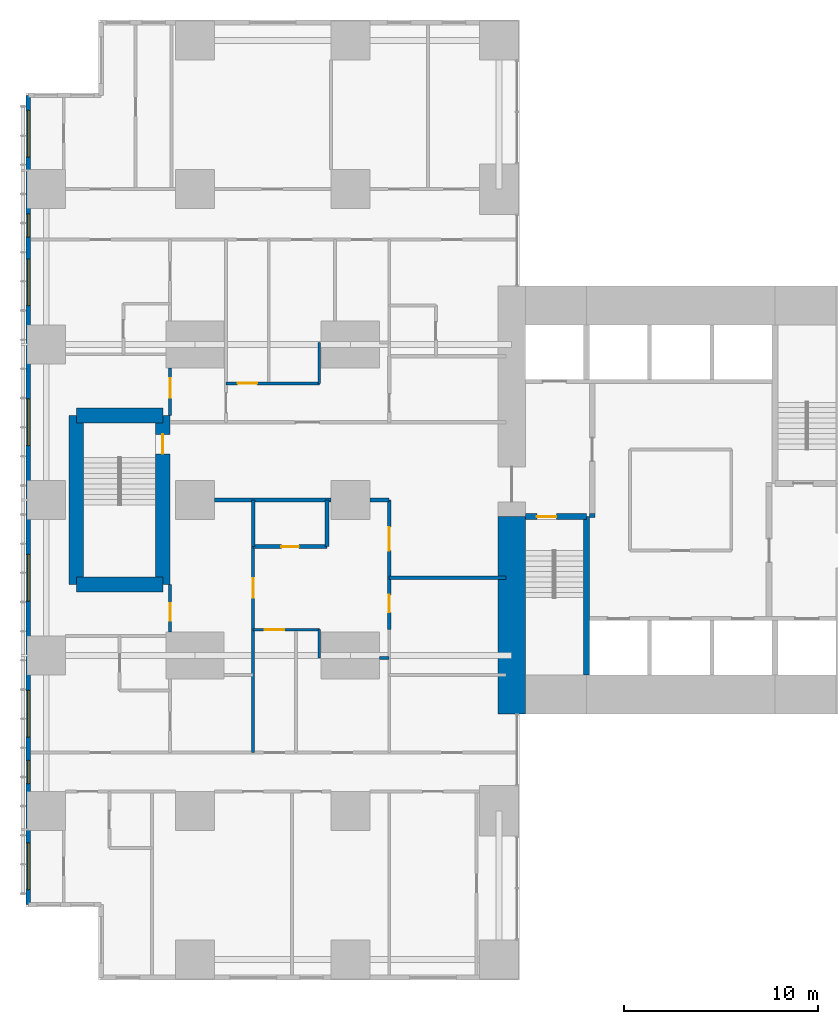
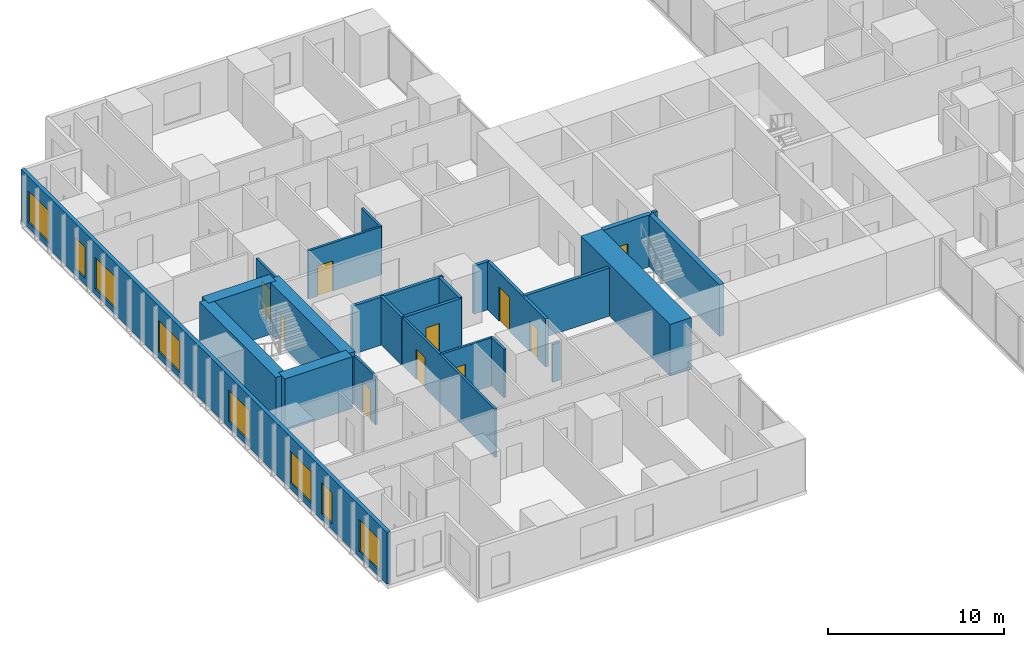
# One storey, part 13 of 20: 24 walls, 10 doors, 8 windows, 18 openings.
"""IFC4 building model written with IfcOpenShell, lengths in metres."""

from ifc_helpers import new_model, si_unit, direction, frame, frame_2d, origin, place, context, subcontext, project, spatial, rectangle, extrude, material, layer, layer_set, type_object, element, fill, save


model = new_model("IFC4")

# Units and contexts
model_context = context("Model", 3, precision=1e-05, world=origin(), true_north=direction((0.0, 1.0)))
body_context = subcontext(model_context, "Body", "Model", "MODEL_VIEW")
ifc_project = project(units=[si_unit("LENGTHUNIT", "METRE"), si_unit("AREAUNIT", "SQUARE_METRE"), si_unit("VOLUMEUNIT", "CUBIC_METRE"), si_unit("PLANEANGLEUNIT", "RADIAN"), si_unit("MASSUNIT", "GRAM", prefix="KILO")], contexts=[model_context])

# Site, building, storey
site_placement = place(None, origin())
site = spatial("IfcSite", under=ifc_project, at=site_placement, CompositionType="ELEMENT")
building_placement = place(site_placement, origin())
building = spatial("IfcBuilding", under=site, at=building_placement, Name="Cleftline Residences", CompositionType="ELEMENT")
storey_placement = place(building_placement, frame((0.0, 0.0, 150.199951171875)))
storey = spatial("IfcBuildingStorey", under=building, at=storey_placement, Name="L39", CompositionType="ELEMENT", Elevation=150.199951171875)

# Walls
ifc_material_1 = material(Name="Concrete B70", Category="concrete")
ifc_layer_1 = layer(ifc_material_1, 1.39990234375)
ifc_layer_set_1 = layer_set([ifc_layer_1], Name="CORE WALL 1400")
wall_type_1 = type_object("IfcWallType", Name="CORE WALL 1400", PredefinedType="SHEAR", material=ifc_layer_set_1)
wall_1_placement = place(storey_placement, frame((24.300048828125, 13.0, 0.0), z_axis=(0.0, 0.0, 1.0), x_axis=(0.0, 1.0, 0.0)))
element("IfcWall", 1, at=wall_1_placement, inside=storey, type_object=wall_type_1, Name="Core wall W0", PredefinedType="SHEAR", context=body_context, shape_type="SweptSolid", body=[
    extrude(rectangle(XDim=10.14990234375, YDim=1.39990234375, at=frame_2d((5.074951171875, 0.0))), origin(), (0.0, 0.0, 1.0), 3.60009765625),
])
ifc_material_2 = material(Name="Concrete B70", Category="concrete")
ifc_layer_2 = layer(ifc_material_2, 0.300048828125)
ifc_layer_set_2 = layer_set([ifc_layer_2], Name="CORE WALL 300")
wall_type_2 = type_object("IfcWallType", Name="CORE WALL 300", PredefinedType="SHEAR", material=ifc_layer_set_2)
wall_2_placement = place(storey_placement, frame((28.14990234375, 15.0, 0.0), z_axis=(0.0, 0.0, 1.0), x_axis=(0.0, 1.0, 0.0)))
element("IfcWall", 2, at=wall_2_placement, inside=storey, type_object=wall_type_2, Name="Core wall SA-E", PredefinedType="SHEAR", context=body_context, shape_type="SweptSolid", body=[
    extrude(rectangle(XDim=8.14990234375, YDim=0.300048828125, at=frame_2d((4.074951171875, 0.0))), origin(), (0.0, 0.0, 1.0), 3.60009765625),
])

# Wall, opening, door
wall_3_placement = place(storey_placement, frame((25.0, 23.14990234375, 0.0), z_axis=(0.0, 0.0, 1.0), x_axis=(1.0, 0.0, 0.0)))
wall_3 = element("IfcWall", 3, at=wall_3_placement, inside=storey, type_object=wall_type_2, Name="Core wall SA-N", PredefinedType="SHEAR", context=body_context, shape_type="SweptSolid", body=[
    extrude(rectangle(XDim=3.14990234375, YDim=0.300048828125, at=frame_2d((1.574951171875, 0.0))), origin(), (0.0, 0.0, 1.0), 3.60009765625),
])
opening_1_placement = place(wall_3_placement, frame((0.60009765625, 0.0, 0.0)))
opening_1 = element("IfcOpeningElement", 4, at=opening_1_placement, cuts=wall_3, Name="Opening D5", PredefinedType="OPENING", context=body_context, shape_type="SweptSolid", body=[
    extrude(rectangle(XDim=1.0, YDim=2.10009765625, at=frame_2d((0.5, 1.050048828125))), frame((0.0, 0.159912109375, 0.0), z_axis=(0.0, -1.0, 0.0), x_axis=(1.0, 0.0, 0.0)), (0.0, 0.0, 1.0), 0.320068359375),
])
ifc_material_3 = material(Name="Steel", Category="steel")
door_type_1 = type_object("IfcDoorType", Name="STAIR DOOR 1000X2100", OperationType="SINGLE_SWING_LEFT", PredefinedType="DOOR", material=ifc_material_3)
door_1_placement = place(opening_1_placement, origin())
door_1 = element("IfcDoor", 5, at=door_1_placement, inside=storey, type_object=door_type_1, Name="Stair A door", OperationType="SINGLE_SWING_RIGHT", OverallHeight=2.10009765625, OverallWidth=1.0, PredefinedType="DOOR", context=body_context, shape_type="SweptSolid", body=[
    extrude(rectangle(XDim=1.0, YDim=2.10009765625, at=frame_2d((0.5, 1.050048828125))), frame((0.0, 0.02490234375, 0.0), z_axis=(0.0, -1.0, 0.0), x_axis=(1.0, 0.0, 0.0)), (0.0, 0.0, 1.0), 0.050048828125),
])
fill(opening_1, door_1)

# Wall, openings, windows
ifc_material_4 = material(Name="Rendered reinforced concrete blockwork", Category="masonry")
ifc_layer_3 = layer(ifc_material_4, 0.25)
ifc_layer_set_3 = layer_set([ifc_layer_3], Name="EXTERNAL WALL 250")
wall_type_3 = type_object("IfcWallType", Name="EXTERNAL WALL 250", PredefinedType="SOLIDWALL", material=ifc_layer_set_3)
wall_4_placement = place(storey_placement, frame((-0.574951171875, 44.824951171875, 0.0), z_axis=(0.0, 0.0, 1.0), x_axis=(0.0, -1.0, 0.0)))
wall_4 = element("IfcWall", 6, at=wall_4_placement, inside=storey, type_object=wall_type_3, Name="External wall", PredefinedType="SOLIDWALL", context=body_context, shape_type="SweptSolid", body=[
    extrude(rectangle(XDim=41.64990234375, YDim=0.25, at=frame_2d((20.824951171875, 0.0))), origin(), (0.0, 0.0, 1.0), 3.60009765625),
])
opening_2_placement = place(wall_4_placement, frame((0.77490234375, 0.0, 0.39990234375)))
opening_2 = element("IfcOpeningElement", 7, at=opening_2_placement, cuts=wall_4, Name="Opening W12", PredefinedType="OPENING", context=body_context, shape_type="SweptSolid", body=[
    extrude(rectangle(XDim=2.39990234375, YDim=2.199951171875, at=frame_2d((1.199951171875, 1.10009765625))), frame((0.0, 0.135009765625, 0.0), z_axis=(0.0, -1.0, 0.0), x_axis=(1.0, 0.0, 0.0)), (0.0, 0.0, 1.0), 0.27001953125),
])
opening_3_placement = place(wall_4_placement, frame((6.10009765625, 0.0, 0.39990234375)))
opening_3 = element("IfcOpeningElement", 8, at=opening_3_placement, cuts=wall_4, Name="Opening W11", PredefinedType="OPENING", context=body_context, shape_type="SweptSolid", body=[
    extrude(rectangle(XDim=1.199951171875, YDim=2.199951171875, at=frame_2d((0.60009765625, 1.10009765625))), frame((0.0, 0.135009765625, 0.0), z_axis=(0.0, -1.0, 0.0), x_axis=(1.0, 0.0, 0.0)), (0.0, 0.0, 1.0), 0.27001953125),
])
opening_4_placement = place(wall_4_placement, frame((8.425048828125, 0.0, 0.39990234375)))
opening_4 = element("IfcOpeningElement", 9, at=opening_4_placement, cuts=wall_4, Name="Opening W12", PredefinedType="OPENING", context=body_context, shape_type="SweptSolid", body=[
    extrude(rectangle(XDim=2.39990234375, YDim=2.199951171875, at=frame_2d((1.199951171875, 1.10009765625))), frame((0.0, 0.135009765625, 0.0), z_axis=(0.0, -1.0, 0.0), x_axis=(1.0, 0.0, 0.0)), (0.0, 0.0, 1.0), 0.27001953125),
])
opening_5_placement = place(wall_4_placement, frame((15.625, 0.0, 0.39990234375)))
opening_5 = element("IfcOpeningElement", 10, at=opening_5_placement, cuts=wall_4, Name="Opening W12", PredefinedType="OPENING", context=body_context, shape_type="SweptSolid", body=[
    extrude(rectangle(XDim=2.39990234375, YDim=2.199951171875, at=frame_2d((1.199951171875, 1.10009765625))), frame((0.0, 0.135009765625, 0.0), z_axis=(0.0, -1.0, 0.0), x_axis=(1.0, 0.0, 0.0)), (0.0, 0.0, 1.0), 0.27001953125),
])
opening_6_placement = place(wall_4_placement, frame((23.625, 0.0, 0.39990234375)))
opening_6 = element("IfcOpeningElement", 11, at=opening_6_placement, cuts=wall_4, Name="Opening W12", PredefinedType="OPENING", context=body_context, shape_type="SweptSolid", body=[
    extrude(rectangle(XDim=2.39990234375, YDim=2.199951171875, at=frame_2d((1.199951171875, 1.10009765625))), frame((0.0, 0.135009765625, 0.0), z_axis=(0.0, -1.0, 0.0), x_axis=(1.0, 0.0, 0.0)), (0.0, 0.0, 1.0), 0.27001953125),
])
opening_7_placement = place(wall_4_placement, frame((30.625, 0.0, 0.39990234375)))
opening_7 = element("IfcOpeningElement", 12, at=opening_7_placement, cuts=wall_4, Name="Opening W12", PredefinedType="OPENING", context=body_context, shape_type="SweptSolid", body=[
    extrude(rectangle(XDim=2.39990234375, YDim=2.199951171875, at=frame_2d((1.199951171875, 1.10009765625))), frame((0.0, 0.135009765625, 0.0), z_axis=(0.0, -1.0, 0.0), x_axis=(1.0, 0.0, 0.0)), (0.0, 0.0, 1.0), 0.27001953125),
])
opening_8_placement = place(wall_4_placement, frame((34.22509765625, 0.0, 0.39990234375)))
opening_8 = element("IfcOpeningElement", 13, at=opening_8_placement, cuts=wall_4, Name="Opening W11", PredefinedType="OPENING", context=body_context, shape_type="SweptSolid", body=[
    extrude(rectangle(XDim=1.199951171875, YDim=2.199951171875, at=frame_2d((0.60009765625, 1.10009765625))), frame((0.0, 0.135009765625, 0.0), z_axis=(0.0, -1.0, 0.0), x_axis=(1.0, 0.0, 0.0)), (0.0, 0.0, 1.0), 0.27001953125),
])
opening_9_placement = place(wall_4_placement, frame((38.47509765625, 0.0, 0.39990234375)))
opening_9 = element("IfcOpeningElement", 14, at=opening_9_placement, cuts=wall_4, Name="Opening W12", PredefinedType="OPENING", context=body_context, shape_type="SweptSolid", body=[
    extrude(rectangle(XDim=2.39990234375, YDim=2.199951171875, at=frame_2d((1.199951171875, 1.10009765625))), frame((0.0, 0.135009765625, 0.0), z_axis=(0.0, -1.0, 0.0), x_axis=(1.0, 0.0, 0.0)), (0.0, 0.0, 1.0), 0.27001953125),
])
ifc_material_5 = material(Name="Aluminium frame, clear double glazing", Category="aluminium")
window_type_1 = type_object("IfcWindowType", Name="WINDOW 1200X2200", PartitioningType="DOUBLE_PANEL_VERTICAL", PredefinedType="WINDOW", material=ifc_material_5)
window_1_placement = place(opening_3_placement, origin())
window_1 = element("IfcWindow", 15, at=window_1_placement, inside=storey, type_object=window_type_1, Name="Window", OverallHeight=2.199951171875, OverallWidth=1.199951171875, PartitioningType="SINGLE_PANEL", PredefinedType="WINDOW", context=body_context, shape_type="SweptSolid", body=[
    extrude(rectangle(XDim=1.199951171875, YDim=2.199951171875, at=frame_2d((0.60009765625, 1.10009765625))), frame((0.0, 0.030029296875, 0.0), z_axis=(0.0, -1.0, 0.0), x_axis=(1.0, 0.0, 0.0)), (0.0, 0.0, 1.0), 0.06005859375),
])
fill(opening_3, window_1)
window_2_placement = place(opening_8_placement, origin())
window_2 = element("IfcWindow", 16, at=window_2_placement, inside=storey, type_object=window_type_1, Name="Window", OverallHeight=2.199951171875, OverallWidth=1.199951171875, PartitioningType="SINGLE_PANEL", PredefinedType="WINDOW", context=body_context, shape_type="SweptSolid", body=[
    extrude(rectangle(XDim=1.199951171875, YDim=2.199951171875, at=frame_2d((0.60009765625, 1.10009765625))), frame((0.0, 0.030029296875, 0.0), z_axis=(0.0, -1.0, 0.0), x_axis=(1.0, 0.0, 0.0)), (0.0, 0.0, 1.0), 0.06005859375),
])
fill(opening_8, window_2)
ifc_material_6 = material(Name="Aluminium frame, clear double glazing", Category="aluminium")
window_type_2 = type_object("IfcWindowType", Name="WINDOW 2400X2200", PartitioningType="DOUBLE_PANEL_VERTICAL", PredefinedType="WINDOW", material=ifc_material_6)
window_3_placement = place(opening_2_placement, origin())
window_3 = element("IfcWindow", 17, at=window_3_placement, inside=storey, type_object=window_type_2, Name="Window", OverallHeight=2.199951171875, OverallWidth=2.39990234375, PartitioningType="SINGLE_PANEL", PredefinedType="WINDOW", context=body_context, shape_type="SweptSolid", body=[
    extrude(rectangle(XDim=2.39990234375, YDim=2.199951171875, at=frame_2d((1.199951171875, 1.10009765625))), frame((0.0, 0.030029296875, 0.0), z_axis=(0.0, -1.0, 0.0), x_axis=(1.0, 0.0, 0.0)), (0.0, 0.0, 1.0), 0.06005859375),
])
fill(opening_2, window_3)
window_4_placement = place(opening_4_placement, origin())
window_4 = element("IfcWindow", 18, at=window_4_placement, inside=storey, type_object=window_type_2, Name="Window", OverallHeight=2.199951171875, OverallWidth=2.39990234375, PartitioningType="SINGLE_PANEL", PredefinedType="WINDOW", context=body_context, shape_type="SweptSolid", body=[
    extrude(rectangle(XDim=2.39990234375, YDim=2.199951171875, at=frame_2d((1.199951171875, 1.10009765625))), frame((0.0, 0.030029296875, 0.0), z_axis=(0.0, -1.0, 0.0), x_axis=(1.0, 0.0, 0.0)), (0.0, 0.0, 1.0), 0.06005859375),
])
fill(opening_4, window_4)
window_5_placement = place(opening_5_placement, origin())
window_5 = element("IfcWindow", 19, at=window_5_placement, inside=storey, type_object=window_type_2, Name="Window", OverallHeight=2.199951171875, OverallWidth=2.39990234375, PartitioningType="SINGLE_PANEL", PredefinedType="WINDOW", context=body_context, shape_type="SweptSolid", body=[
    extrude(rectangle(XDim=2.39990234375, YDim=2.199951171875, at=frame_2d((1.199951171875, 1.10009765625))), frame((0.0, 0.030029296875, 0.0), z_axis=(0.0, -1.0, 0.0), x_axis=(1.0, 0.0, 0.0)), (0.0, 0.0, 1.0), 0.06005859375),
])
fill(opening_5, window_5)
window_6_placement = place(opening_6_placement, origin())
window_6 = element("IfcWindow", 20, at=window_6_placement, inside=storey, type_object=window_type_2, Name="Window", OverallHeight=2.199951171875, OverallWidth=2.39990234375, PartitioningType="SINGLE_PANEL", PredefinedType="WINDOW", context=body_context, shape_type="SweptSolid", body=[
    extrude(rectangle(XDim=2.39990234375, YDim=2.199951171875, at=frame_2d((1.199951171875, 1.10009765625))), frame((0.0, 0.030029296875, 0.0), z_axis=(0.0, -1.0, 0.0), x_axis=(1.0, 0.0, 0.0)), (0.0, 0.0, 1.0), 0.06005859375),
])
fill(opening_6, window_6)
window_7_placement = place(opening_7_placement, origin())
window_7 = element("IfcWindow", 21, at=window_7_placement, inside=storey, type_object=window_type_2, Name="Window", OverallHeight=2.199951171875, OverallWidth=2.39990234375, PartitioningType="SINGLE_PANEL", PredefinedType="WINDOW", context=body_context, shape_type="SweptSolid", body=[
    extrude(rectangle(XDim=2.39990234375, YDim=2.199951171875, at=frame_2d((1.199951171875, 1.10009765625))), frame((0.0, 0.030029296875, 0.0), z_axis=(0.0, -1.0, 0.0), x_axis=(1.0, 0.0, 0.0)), (0.0, 0.0, 1.0), 0.06005859375),
])
fill(opening_7, window_7)
window_8_placement = place(opening_9_placement, origin())
window_8 = element("IfcWindow", 22, at=window_8_placement, inside=storey, type_object=window_type_2, Name="Window", OverallHeight=2.199951171875, OverallWidth=2.39990234375, PartitioningType="SINGLE_PANEL", PredefinedType="WINDOW", context=body_context, shape_type="SweptSolid", body=[
    extrude(rectangle(XDim=2.39990234375, YDim=2.199951171875, at=frame_2d((1.199951171875, 1.10009765625))), frame((0.0, 0.030029296875, 0.0), z_axis=(0.0, -1.0, 0.0), x_axis=(1.0, 0.0, 0.0)), (0.0, 0.0, 1.0), 0.06005859375),
])
fill(opening_9, window_8)

# Wall
ifc_material_7 = material(Name="Concrete blockwork, fire rated", Category="masonry")
ifc_layer_4 = layer(ifc_material_7, 0.199951171875)
ifc_layer_set_4 = layer_set([ifc_layer_4], Name="FIRE WALL 200")
wall_type_4 = type_object("IfcWallType", Name="FIRE WALL 200", PredefinedType="PARTITIONING", material=ifc_layer_set_4)
wall_5_placement = place(storey_placement, frame((18.0, 20.0, 0.0), z_axis=(0.0, 0.0, 1.0), x_axis=(1.0, 0.0, 0.0)))
element("IfcWall", 23, at=wall_5_placement, inside=storey, type_object=wall_type_4, Name="Fire separating wall", PredefinedType="PARTITIONING", context=body_context, shape_type="SweptSolid", body=[
    extrude(rectangle(XDim=6.0, YDim=0.199951171875, at=frame_2d((3.0, 0.0))), origin(), (0.0, 0.0, 1.0), 3.35009765625),
])

# Wall, opening, door
wall_6_placement = place(storey_placement, frame((11.0, 21.60009765625, 0.0), z_axis=(0.0, 0.0, 1.0), x_axis=(1.0, 0.0, 0.0)))
wall_6 = element("IfcWall", 24, at=wall_6_placement, inside=storey, type_object=wall_type_4, Name="Fire separating wall", PredefinedType="PARTITIONING", context=body_context, shape_type="SweptSolid", body=[
    extrude(rectangle(XDim=3.800048828125, YDim=0.199951171875, at=frame_2d((1.89990234375, 0.0))), origin(), (0.0, 0.0, 1.0), 3.35009765625),
])
opening_10_placement = place(wall_6_placement, frame((1.449951171875, 0.0, 0.0)))
opening_10 = element("IfcOpeningElement", 25, at=opening_10_placement, cuts=wall_6, Name="Opening D1F30", PredefinedType="OPENING", context=body_context, shape_type="SweptSolid", body=[
    extrude(rectangle(XDim=0.89990234375, YDim=2.10009765625, at=frame_2d((0.449951171875, 1.050048828125))), frame((0.0, 0.10986328125, 0.0), z_axis=(0.0, -1.0, 0.0), x_axis=(1.0, 0.0, 0.0)), (0.0, 0.0, 1.0), 0.219970703125),
])
ifc_material_8 = material(Name="Timber veneer on solid core", Category="wood")
door_type_2 = type_object("IfcDoorType", Name="DOOR 900X2100 EI 30", OperationType="SINGLE_SWING_LEFT", PredefinedType="DOOR", material=ifc_material_8)
door_2_placement = place(opening_10_placement, origin())
door_2 = element("IfcDoor", 26, at=door_2_placement, inside=storey, type_object=door_type_2, Name="Door to cloakroom wc", OperationType="SINGLE_SWING_LEFT", OverallHeight=2.10009765625, OverallWidth=0.89990234375, PredefinedType="DOOR", context=body_context, shape_type="SweptSolid", body=[
    extrude(rectangle(XDim=0.89990234375, YDim=2.10009765625, at=frame_2d((0.449951171875, 1.050048828125))), frame((0.0, 0.02490234375, 0.0), z_axis=(0.0, -1.0, 0.0), x_axis=(1.0, 0.0, 0.0)), (0.0, 0.0, 1.0), 0.050048828125),
])
fill(opening_10, door_2)

# Walls
wall_7_placement = place(storey_placement, frame((9.0, 24.0, 0.0), z_axis=(0.0, 0.0, 1.0), x_axis=(1.0, 0.0, 0.0)))
element("IfcWall", 27, at=wall_7_placement, inside=storey, type_object=wall_type_4, Name="Fire separating wall", PredefinedType="PARTITIONING", context=body_context, shape_type="SweptSolid", body=[
    extrude(rectangle(XDim=6.0, YDim=0.199951171875, at=frame_2d((3.0, 0.0))), origin(), (0.0, 0.0, 1.0), 3.35009765625),
])
wall_8_placement = place(storey_placement, frame((17.0, 24.0, 0.0), z_axis=(0.0, 0.0, 1.0), x_axis=(1.0, 0.0, 0.0)))
element("IfcWall", 28, at=wall_8_placement, inside=storey, type_object=wall_type_4, Name="Fire separating wall", PredefinedType="PARTITIONING", context=body_context, shape_type="SweptSolid", body=[
    extrude(rectangle(XDim=1.0, YDim=0.199951171875, at=frame_2d((0.5, 0.0))), origin(), (0.0, 0.0, 1.0), 3.35009765625),
])
for number, where, z_axis, x_axis, name in (
    (29, (11.0, 21.60009765625, 0.0), (0.0, 0.0, 1.0), (0.0, 1.0, 0.0), "Fire separating wall"),
    (30, (14.800048828125, 21.60009765625, 0.0), (0.0, 0.0, 1.0), (0.0, 1.0, 0.0), "Fire separating wall"),
):
    element("IfcWall", number, at=place(storey_placement, frame(where, z_axis=z_axis, x_axis=x_axis)), inside=storey, type_object=wall_type_4, Name=name, PredefinedType="PARTITIONING", context=body_context, shape_type="SweptSolid", body=[
        extrude(rectangle(XDim=2.39990234375, YDim=0.199951171875, at=frame_2d((1.199951171875, 0.0))), origin(), (0.0, 0.0, 1.0), 3.35009765625),
    ])

# Wall, openings, doors
wall_9_placement = place(storey_placement, frame((18.0, 17.324951171875, 0.0), z_axis=(0.0, 0.0, 1.0), x_axis=(0.0, 1.0, 0.0)))
wall_9 = element("IfcWall", 31, at=wall_9_placement, inside=storey, type_object=wall_type_4, Name="Fire separating wall", PredefinedType="PARTITIONING", context=body_context, shape_type="SweptSolid", body=[
    extrude(rectangle(XDim=6.675048828125, YDim=0.199951171875, at=frame_2d((3.33740234375, 0.0))), origin(), (0.0, 0.0, 1.0), 3.35009765625),
])
opening_11_placement = place(wall_9_placement, frame((4.074951171875, 0.0, 0.0)))
opening_11 = element("IfcOpeningElement", 32, at=opening_11_placement, cuts=wall_9, Name="Opening D4", PredefinedType="OPENING", context=body_context, shape_type="SweptSolid", body=[
    extrude(rectangle(XDim=1.199951171875, YDim=2.39990234375, at=frame_2d((0.60009765625, 1.199951171875))), frame((0.0, 0.10986328125, 0.0), z_axis=(0.0, -1.0, 0.0), x_axis=(1.0, 0.0, 0.0)), (0.0, 0.0, 1.0), 0.219970703125),
])
opening_12_placement = place(wall_9_placement, frame((0.887451171875, 0.0, 0.0)))
opening_12 = element("IfcOpeningElement", 33, at=opening_12_placement, cuts=wall_9, Name="Opening D1F30", PredefinedType="OPENING", context=body_context, shape_type="SweptSolid", body=[
    extrude(rectangle(XDim=0.89990234375, YDim=2.10009765625, at=frame_2d((0.449951171875, 1.050048828125))), frame((0.0, 0.10986328125, 0.0), z_axis=(0.0, -1.0, 0.0), x_axis=(1.0, 0.0, 0.0)), (0.0, 0.0, 1.0), 0.219970703125),
])
ifc_material_9 = material(Name="Timber veneer on solid core", Category="wood")
door_type_3 = type_object("IfcDoorType", Name="APARTMENT ENTRANCE DOOR 1200X2400", OperationType="SINGLE_SWING_RIGHT", PredefinedType="DOOR", material=ifc_material_9)
door_3_placement = place(opening_11_placement, origin())
door_3 = element("IfcDoor", 34, at=door_3_placement, inside=storey, type_object=door_type_3, Name="Door to residence entrance foyer", OperationType="SINGLE_SWING_LEFT", OverallHeight=2.39990234375, OverallWidth=1.199951171875, PredefinedType="DOOR", context=body_context, shape_type="SweptSolid", body=[
    extrude(rectangle(XDim=1.199951171875, YDim=2.39990234375, at=frame_2d((0.60009765625, 1.199951171875))), frame((0.0, 0.02490234375, 0.0), z_axis=(0.0, -1.0, 0.0), x_axis=(1.0, 0.0, 0.0)), (0.0, 0.0, 1.0), 0.050048828125),
])
fill(opening_11, door_3)
door_4_placement = place(opening_12_placement, origin())
door_4 = element("IfcDoor", 35, at=door_4_placement, inside=storey, type_object=door_type_2, Name="Door to utility room", OperationType="SINGLE_SWING_RIGHT", OverallHeight=2.10009765625, OverallWidth=0.89990234375, PredefinedType="DOOR", context=body_context, shape_type="SweptSolid", body=[
    extrude(rectangle(XDim=0.89990234375, YDim=2.10009765625, at=frame_2d((0.449951171875, 1.050048828125))), frame((0.0, 0.02490234375, 0.0), z_axis=(0.0, -1.0, 0.0), x_axis=(1.0, 0.0, 0.0)), (0.0, 0.0, 1.0), 0.050048828125),
])
fill(opening_12, door_4)

# Walls
wall_10_placement = place(storey_placement, frame((28.300048828125, 23.199951171875, 0.0), z_axis=(0.0, 0.0, 1.0), x_axis=(1.0, 0.0, 0.0)))
element("IfcWall", 36, at=wall_10_placement, inside=storey, type_object=wall_type_4, Name="Fire separating wall", PredefinedType="PARTITIONING", context=body_context, shape_type="SweptSolid", body=[
    extrude(rectangle(XDim=0.300048828125, YDim=0.199951171875, at=frame_2d((0.14990234375, 0.0))), origin(), (0.0, 0.0, 1.0), 3.60009765625),
])
ifc_material_10 = material(Name="Gypsum board on steel studs", Category="steel")
ifc_layer_5 = layer(ifc_material_10, 0.14990234375)
ifc_layer_set_5 = layer_set([ifc_layer_5], Name="PARTITION 150")
wall_type_5 = type_object("IfcWallType", Name="PARTITION 150", PredefinedType="PARTITIONING", material=ifc_layer_set_5)
wall_11_placement = place(storey_placement, frame((17.5, 15.875, 0.0), z_axis=(0.0, 0.0, 1.0), x_axis=(1.0, 0.0, 0.0)))
element("IfcWall", 37, at=wall_11_placement, inside=storey, type_object=wall_type_5, Name="Partition", PredefinedType="PARTITIONING", context=body_context, shape_type="SweptSolid", body=[
    extrude(rectangle(XDim=0.5, YDim=0.14990234375, at=frame_2d((0.25, 0.0))), origin(), (0.0, 0.0, 1.0), 2.634033203125),
])

# Wall, opening, door
wall_12_placement = place(storey_placement, frame((11.0, 17.324951171875, 0.0), z_axis=(0.0, 0.0, 1.0), x_axis=(1.0, 0.0, 0.0)))
wall_12 = element("IfcWall", 38, at=wall_12_placement, inside=storey, type_object=wall_type_5, Name="Partition", PredefinedType="PARTITIONING", context=body_context, shape_type="SweptSolid", body=[
    extrude(rectangle(XDim=3.39990234375, YDim=0.14990234375, at=frame_2d((1.699951171875, 0.0))), origin(), (0.0, 0.0, 1.0), 3.35009765625),
])
opening_13_placement = place(wall_12_placement, frame((0.60009765625, 0.0, 0.0)))
opening_13 = element("IfcOpeningElement", 39, at=opening_13_placement, cuts=wall_12, Name="Opening D2", PredefinedType="OPENING", context=body_context, shape_type="SweptSolid", body=[
    extrude(rectangle(XDim=1.0, YDim=2.10009765625, at=frame_2d((0.5, 1.050048828125))), frame((0.0, 0.0849609375, 0.0), z_axis=(0.0, -1.0, 0.0), x_axis=(1.0, 0.0, 0.0)), (0.0, 0.0, 1.0), 0.169921875),
])
ifc_material_11 = material(Name="Timber veneer on solid core", Category="wood")
door_type_4 = type_object("IfcDoorType", Name="DOOR 1000X2100", OperationType="SINGLE_SWING_LEFT", PredefinedType="DOOR", material=ifc_material_11)
door_5_placement = place(opening_13_placement, origin())
door_5 = element("IfcDoor", 40, at=door_5_placement, inside=storey, type_object=door_type_4, Name="Door to residence passage", OperationType="SINGLE_SWING_RIGHT", OverallHeight=2.10009765625, OverallWidth=1.0, PredefinedType="DOOR", context=body_context, shape_type="SweptSolid", body=[
    extrude(rectangle(XDim=1.0, YDim=2.10009765625, at=frame_2d((0.5, 1.050048828125))), frame((0.0, 0.02490234375, 0.0), z_axis=(0.0, -1.0, 0.0), x_axis=(1.0, 0.0, 0.0)), (0.0, 0.0, 1.0), 0.050048828125),
])
fill(opening_13, door_5)

wall_13_placement = place(storey_placement, frame((9.60009765625, 30.0, 0.0), z_axis=(0.0, 0.0, 1.0), x_axis=(1.0, 0.0, 0.0)))
wall_13 = element("IfcWall", 41, at=wall_13_placement, inside=storey, type_object=wall_type_5, Name="Partition", PredefinedType="PARTITIONING", context=body_context, shape_type="SweptSolid", body=[
    extrude(rectangle(XDim=4.7998046875, YDim=0.14990234375, at=frame_2d((2.39990234375, 0.0))), origin(), (0.0, 0.0, 1.0), 3.35009765625),
])
opening_14_placement = place(wall_13_placement, frame((0.60009765625, 0.0, 0.0)))
opening_14 = element("IfcOpeningElement", 42, at=opening_14_placement, cuts=wall_13, Name="Opening D2", PredefinedType="OPENING", context=body_context, shape_type="SweptSolid", body=[
    extrude(rectangle(XDim=1.0, YDim=2.10009765625, at=frame_2d((0.5, 1.050048828125))), frame((0.0, 0.0849609375, 0.0), z_axis=(0.0, -1.0, 0.0), x_axis=(1.0, 0.0, 0.0)), (0.0, 0.0, 1.0), 0.169921875),
])
door_6_placement = place(opening_14_placement, origin())
door_6 = element("IfcDoor", 43, at=door_6_placement, inside=storey, type_object=door_type_4, Name="Door to residence passage", OperationType="SINGLE_SWING_RIGHT", OverallHeight=2.10009765625, OverallWidth=1.0, PredefinedType="DOOR", context=body_context, shape_type="SweptSolid", body=[
    extrude(rectangle(XDim=1.0, YDim=2.10009765625, at=frame_2d((0.5, 1.050048828125))), frame((0.0, 0.02490234375, 0.0), z_axis=(0.0, -1.0, 0.0), x_axis=(1.0, 0.0, 0.0)), (0.0, 0.0, 1.0), 0.050048828125),
])
fill(opening_14, door_6)

wall_14_placement = place(storey_placement, frame((6.72509765625, 17.199951171875, 0.0), z_axis=(0.0, 0.0, 1.0), x_axis=(0.0, 1.0, 0.0)))
wall_14 = element("IfcWall", 44, at=wall_14_placement, inside=storey, type_object=wall_type_5, Name="Partition", PredefinedType="PARTITIONING", context=body_context, shape_type="SweptSolid", body=[
    extrude(rectangle(XDim=2.449951171875, YDim=0.14990234375, at=frame_2d((1.22509765625, 0.0))), origin(), (0.0, 0.0, 1.0), 3.35009765625),
])
opening_15_placement = place(wall_14_placement, frame((0.58740234375, 0.0, 0.0)))
opening_15 = element("IfcOpeningElement", 45, at=opening_15_placement, cuts=wall_14, Name="Opening D1", PredefinedType="OPENING", context=body_context, shape_type="SweptSolid", body=[
    extrude(rectangle(XDim=0.89990234375, YDim=2.10009765625, at=frame_2d((0.449951171875, 1.050048828125))), frame((0.0, 0.0849609375, 0.0), z_axis=(0.0, -1.0, 0.0), x_axis=(1.0, 0.0, 0.0)), (0.0, 0.0, 1.0), 0.169921875),
])
ifc_material_12 = material(Name="Timber veneer on solid core", Category="wood")
door_type_5 = type_object("IfcDoorType", Name="DOOR 900X2100", OperationType="SINGLE_SWING_LEFT", PredefinedType="DOOR", material=ifc_material_12)
door_7_placement = place(opening_15_placement, origin())
door_7 = element("IfcDoor", 46, at=door_7_placement, inside=storey, type_object=door_type_5, Name="Door to service loggia", OperationType="SINGLE_SWING_RIGHT", OverallHeight=2.10009765625, OverallWidth=0.89990234375, PredefinedType="DOOR", context=body_context, shape_type="SweptSolid", body=[
    extrude(rectangle(XDim=0.89990234375, YDim=2.10009765625, at=frame_2d((0.449951171875, 1.050048828125))), frame((0.0, 0.02490234375, 0.0), z_axis=(0.0, -1.0, 0.0), x_axis=(1.0, 0.0, 0.0)), (0.0, 0.0, 1.0), 0.050048828125),
])
fill(opening_15, door_7)

wall_15_placement = place(storey_placement, frame((6.72509765625, 28.35009765625, 0.0), z_axis=(0.0, 0.0, 1.0), x_axis=(0.0, 1.0, 0.0)))
wall_15 = element("IfcWall", 47, at=wall_15_placement, inside=storey, type_object=wall_type_5, Name="Partition", PredefinedType="PARTITIONING", context=body_context, shape_type="SweptSolid", body=[
    extrude(rectangle(XDim=2.449951171875, YDim=0.14990234375, at=frame_2d((1.22509765625, 0.0))), origin(), (0.0, 0.0, 1.0), 3.35009765625),
])
opening_16_placement = place(wall_15_placement, frame((0.91259765625, 0.0, 0.0)))
opening_16 = element("IfcOpeningElement", 48, at=opening_16_placement, cuts=wall_15, Name="Opening D2", PredefinedType="OPENING", context=body_context, shape_type="SweptSolid", body=[
    extrude(rectangle(XDim=1.0, YDim=2.10009765625, at=frame_2d((0.5, 1.050048828125))), frame((0.0, 0.0849609375, 0.0), z_axis=(0.0, -1.0, 0.0), x_axis=(1.0, 0.0, 0.0)), (0.0, 0.0, 1.0), 0.169921875),
])
door_8_placement = place(opening_16_placement, origin())
door_8 = element("IfcDoor", 49, at=door_8_placement, inside=storey, type_object=door_type_4, Name="Door to altar room", OperationType="SINGLE_SWING_LEFT", OverallHeight=2.10009765625, OverallWidth=1.0, PredefinedType="DOOR", context=body_context, shape_type="SweptSolid", body=[
    extrude(rectangle(XDim=1.0, YDim=2.10009765625, at=frame_2d((0.5, 1.050048828125))), frame((0.0, 0.02490234375, 0.0), z_axis=(0.0, -1.0, 0.0), x_axis=(1.0, 0.0, 0.0)), (0.0, 0.0, 1.0), 0.050048828125),
])
fill(opening_16, door_8)

wall_16_placement = place(storey_placement, frame((11.0, 11.0, 0.0), z_axis=(0.0, 0.0, 1.0), x_axis=(0.0, 1.0, 0.0)))
wall_16 = element("IfcWall", 50, at=wall_16_placement, inside=storey, type_object=wall_type_5, Name="Partition", PredefinedType="PARTITIONING", context=body_context, shape_type="SweptSolid", body=[
    extrude(rectangle(XDim=10.60009765625, YDim=0.14990234375, at=frame_2d((5.300048828125, 0.0))), origin(), (0.0, 0.0, 1.0), 3.35009765625),
])
opening_17_placement = place(wall_16_placement, frame((7.96240234375, 0.0, 0.0)))
opening_17 = element("IfcOpeningElement", 51, at=opening_17_placement, cuts=wall_16, Name="Opening D2F30", PredefinedType="OPENING", context=body_context, shape_type="SweptSolid", body=[
    extrude(rectangle(XDim=1.0, YDim=2.10009765625, at=frame_2d((0.5, 1.050048828125))), frame((0.0, 0.0849609375, 0.0), z_axis=(0.0, -1.0, 0.0), x_axis=(1.0, 0.0, 0.0)), (0.0, 0.0, 1.0), 0.169921875),
])
ifc_material_13 = material(Name="Timber veneer on solid core", Category="wood")
door_type_6 = type_object("IfcDoorType", Name="DOOR 1000X2100 EI 30", OperationType="SINGLE_SWING_LEFT", PredefinedType="DOOR", material=ifc_material_13)
door_9_placement = place(opening_17_placement, origin())
door_9 = element("IfcDoor", 52, at=door_9_placement, inside=storey, type_object=door_type_6, Name="Door to residence lobby", OperationType="SINGLE_SWING_LEFT", OverallHeight=2.10009765625, OverallWidth=1.0, PredefinedType="DOOR", context=body_context, shape_type="SweptSolid", body=[
    extrude(rectangle(XDim=1.0, YDim=2.10009765625, at=frame_2d((0.5, 1.050048828125))), frame((0.0, 0.02490234375, 0.0), z_axis=(0.0, -1.0, 0.0), x_axis=(1.0, 0.0, 0.0)), (0.0, 0.0, 1.0), 0.050048828125),
])
fill(opening_17, door_9)

# Walls
wall_17_placement = place(storey_placement, frame((14.39990234375, 15.875, 0.0), z_axis=(0.0, 0.0, 1.0), x_axis=(0.0, 1.0, 0.0)))
element("IfcWall", 53, at=wall_17_placement, inside=storey, type_object=wall_type_5, Name="Partition", PredefinedType="PARTITIONING", context=body_context, shape_type="SweptSolid", body=[
    extrude(rectangle(XDim=1.449951171875, YDim=0.14990234375, at=frame_2d((0.72509765625, 0.0))), origin(), (0.0, 0.0, 1.0), 3.35009765625),
])
wall_18_placement = place(storey_placement, frame((14.39990234375, 30.0, 0.0), z_axis=(0.0, 0.0, 1.0), x_axis=(0.0, 1.0, 0.0)))
element("IfcWall", 54, at=wall_18_placement, inside=storey, type_object=wall_type_5, Name="Partition", PredefinedType="PARTITIONING", context=body_context, shape_type="SweptSolid", body=[
    extrude(rectangle(XDim=2.10009765625, YDim=0.14990234375, at=frame_2d((1.050048828125, 0.0))), origin(), (0.0, 0.0, 1.0), 3.35009765625),
])
ifc_material_14 = material(Name="Concrete B70", Category="concrete")
ifc_layer_6 = layer(ifc_material_14, 0.75)
ifc_layer_set_6 = layer_set([ifc_layer_6], Name="SHEAR WALL 750")
wall_type_6 = type_object("IfcWallType", Name="SHEAR WALL 750", PredefinedType="SHEAR", material=ifc_layer_set_6)
wall_19_placement = place(storey_placement, frame((1.89990234375, 19.64990234375, 0.0), z_axis=(0.0, 0.0, 1.0), x_axis=(1.0, 0.0, 0.0)))
element("IfcWall", 55, at=wall_19_placement, inside=storey, type_object=wall_type_6, Name="Wing shear wall", PredefinedType="SHEAR", context=body_context, shape_type="SweptSolid", body=[
    extrude(rectangle(XDim=4.4501953125, YDim=0.75, at=frame_2d((2.22509765625, 0.0))), origin(), (0.0, 0.0, 1.0), 3.60009765625),
])

# Wall, opening, door
wall_20_placement = place(storey_placement, frame((6.35009765625, 19.64990234375, 0.0), z_axis=(0.0, 0.0, 1.0), x_axis=(0.0, 1.0, 0.0)))
wall_20 = element("IfcWall", 56, at=wall_20_placement, inside=storey, type_object=wall_type_6, Name="Wing shear wall", PredefinedType="SHEAR", context=body_context, shape_type="SweptSolid", body=[
    extrude(rectangle(XDim=8.7001953125, YDim=0.75, at=frame_2d((4.35009765625, 0.0))), origin(), (0.0, 0.0, 1.0), 3.60009765625),
])
opening_18_placement = place(wall_20_placement, frame((6.72509765625, 0.0, 0.0)))
opening_18 = element("IfcOpeningElement", 57, at=opening_18_placement, cuts=wall_20, Name="Opening D5", PredefinedType="OPENING", context=body_context, shape_type="SweptSolid", body=[
    extrude(rectangle(XDim=1.0, YDim=2.10009765625, at=frame_2d((0.5, 1.050048828125))), frame((0.0, 0.385009765625, 0.0), z_axis=(0.0, -1.0, 0.0), x_axis=(1.0, 0.0, 0.0)), (0.0, 0.0, 1.0), 0.77001953125),
])
door_10_placement = place(opening_18_placement, origin())
door_10 = element("IfcDoor", 58, at=door_10_placement, inside=storey, type_object=door_type_1, Name="Stair W door", OperationType="SINGLE_SWING_LEFT", OverallHeight=2.10009765625, OverallWidth=1.0, PredefinedType="DOOR", context=body_context, shape_type="SweptSolid", body=[
    extrude(rectangle(XDim=1.0, YDim=2.10009765625, at=frame_2d((0.5, 1.050048828125))), frame((0.0, 0.02490234375, 0.0), z_axis=(0.0, -1.0, 0.0), x_axis=(1.0, 0.0, 0.0)), (0.0, 0.0, 1.0), 0.050048828125),
])
fill(opening_18, door_10)

# Walls
wall_21_placement = place(storey_placement, frame((6.35009765625, 28.35009765625, 0.0), z_axis=(0.0, 0.0, 1.0), x_axis=(-1.0, 0.0, 0.0)))
element("IfcWall", 59, at=wall_21_placement, inside=storey, type_object=wall_type_6, Name="Wing shear wall", PredefinedType="SHEAR", context=body_context, shape_type="SweptSolid", body=[
    extrude(rectangle(XDim=4.4501953125, YDim=0.75, at=frame_2d((2.22509765625, 0.0))), origin(), (0.0, 0.0, 1.0), 3.60009765625),
])
wall_22_placement = place(storey_placement, frame((1.89990234375, 28.35009765625, 0.0), z_axis=(0.0, 0.0, 1.0), x_axis=(0.0, -1.0, 0.0)))
element("IfcWall", 60, at=wall_22_placement, inside=storey, type_object=wall_type_6, Name="Wing shear wall", PredefinedType="SHEAR", context=body_context, shape_type="SweptSolid", body=[
    extrude(rectangle(XDim=8.7001953125, YDim=0.75, at=frame_2d((4.35009765625, 0.0))), origin(), (0.0, 0.0, 1.0), 3.60009765625),
])

save(model, "model.ifc")
